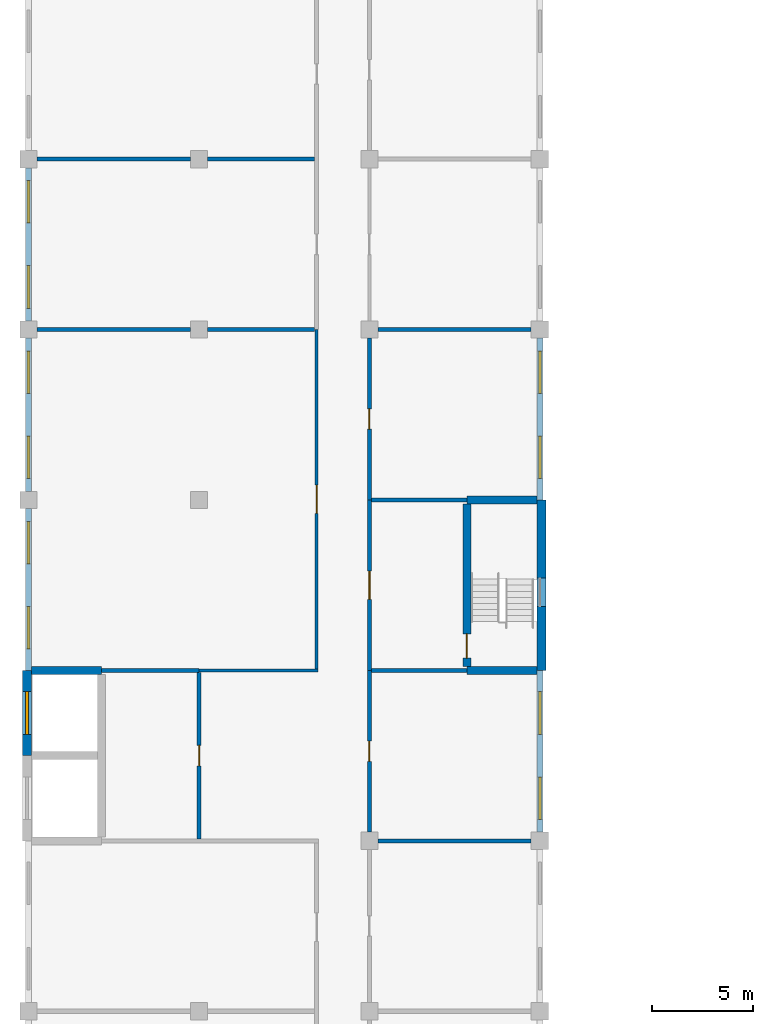
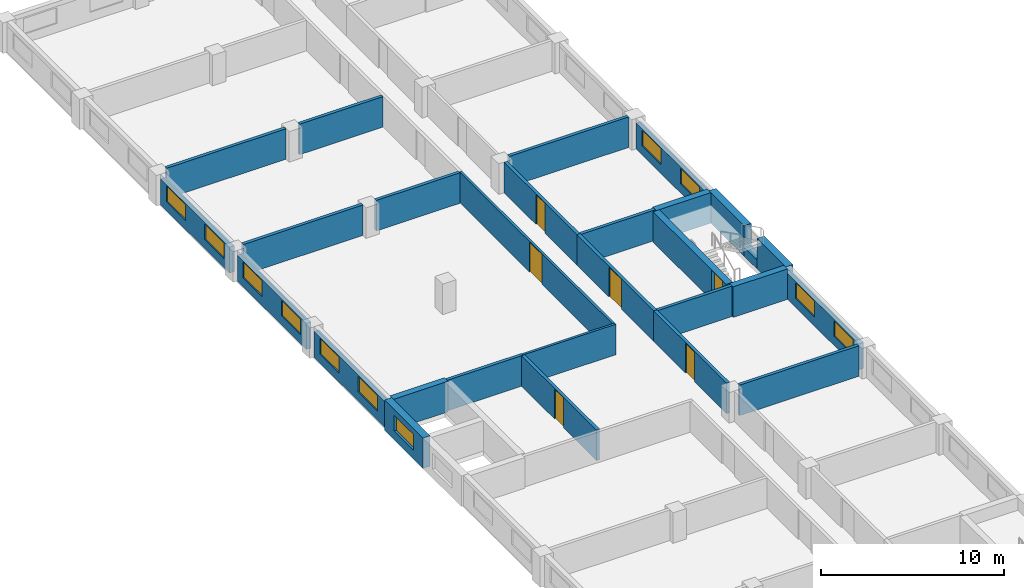
# One storey, part 37 of 48: 28 walls, 11 windows, 6 doors, 17 openings.
"""IFC4 building model written with IfcOpenShell, lengths in metres."""

from ifc_helpers import new_model, si_unit, direction, frame, frame_2d, origin, place, context, subcontext, project, spatial, rectangle, extrude, material, layer, layer_set, type_object, element, fill, save


model = new_model("IFC4")

# Units and contexts
model_context = context("Model", 3, precision=1e-05, world=origin(), true_north=direction((0.0, 1.0)))
body_context = subcontext(model_context, "Body", "Model", "MODEL_VIEW")
ifc_project = project(units=[si_unit("LENGTHUNIT", "METRE"), si_unit("AREAUNIT", "SQUARE_METRE"), si_unit("VOLUMEUNIT", "CUBIC_METRE"), si_unit("PLANEANGLEUNIT", "RADIAN"), si_unit("MASSUNIT", "GRAM", prefix="KILO")], contexts=[model_context])

# Site, building, storey
site_placement = place(None, origin())
site = spatial("IfcSite", under=ifc_project, at=site_placement, CompositionType="ELEMENT")
building_placement = place(site_placement, origin())
building = spatial("IfcBuilding", under=site, at=building_placement, Name="Yavir Park General Hospital", CompositionType="ELEMENT")
storey_placement = place(building_placement, frame((0.0, 0.0, 12.89990234375)))
storey = spatial("IfcBuildingStorey", under=building, at=storey_placement, Name="I02", CompositionType="ELEMENT", Elevation=12.89990234375)

# Walls
ifc_material_1 = material(Name="Double gypsum board fire partition on steel studs", Category="steel")
ifc_layer_1 = layer(ifc_material_1, 0.199951171875)
ifc_layer_set_1 = layer_set([ifc_layer_1], Name="Double gypsum board fire partition on steel studs")
wall_type_1 = type_object("IfcWallType", Name="Fire-rated partition 200, EI 60", PredefinedType="PARTITIONING", material=ifc_layer_set_1)
for number, where, z_axis, x_axis, name in (
    (1, (16.89990234375, 75.60009765625, 0.0), (0.0, 0.0, 1.0), (1.0, 0.0, 0.0), "FP20 I02-090"),
    (2, (16.89990234375, 84.0, 0.0), (0.0, 0.0, 1.0), (1.0, 0.0, 0.0), "FP20 I02-092"),
):
    element("IfcWall", number, at=place(storey_placement, frame(where, z_axis=z_axis, x_axis=x_axis)), inside=storey, type_object=wall_type_1, Name=name, PredefinedType="PARTITIONING", context=body_context, shape_type="SweptSolid", body=[
        extrude(rectangle(XDim=4.7001953125, YDim=0.199951171875, at=frame_2d((2.35009765625, 0.0))), origin(), (0.0, 0.0, 1.0), 2.0400390625),
    ])

# Wall, opening, door
wall_1_placement = place(storey_placement, frame((16.800048828125, 75.60009765625, 0.0), z_axis=(0.0, 0.0, 1.0), x_axis=(0.0, 1.0, 0.0)))
wall_1 = element("IfcWall", 3, at=wall_1_placement, inside=storey, type_object=wall_type_1, Name="FP20 I02-125", PredefinedType="PARTITIONING", context=body_context, shape_type="SweptSolid", body=[
    extrude(rectangle(XDim=8.39990234375, YDim=0.199951171875, at=frame_2d((4.199951171875, 0.0))), origin(), (0.0, 0.0, 1.0), 2.0400390625),
])
opening_1_placement = place(wall_1_placement, frame((3.5, 0.0, 0.0)))
opening_1 = element("IfcOpeningElement", 4, at=opening_1_placement, cuts=wall_1, Name="Opening I02.D071", PredefinedType="OPENING", context=body_context, shape_type="SweptSolid", body=[
    extrude(rectangle(XDim=1.39990234375, YDim=2.0, at=frame_2d((0.699951171875, 1.0))), frame((0.0, 0.10986328125, 0.0), z_axis=(0.0, -1.0, 0.0), x_axis=(1.0, 0.0, 0.0)), (0.0, 0.0, 1.0), 0.219970703125),
])
ifc_material_2 = material(Name="Steel frame, fire-resisting leaves with vision panels", Category="steel")
door_type_1 = type_object("IfcDoorType", Name="Double fire door with vision panels 1400 x 2000, EI 60", OperationType="DOUBLE_DOOR_SINGLE_SWING", PredefinedType="DOOR", material=ifc_material_2)
door_1_placement = place(opening_1_placement, origin())
door_1 = element("IfcDoor", 5, at=door_1_placement, inside=storey, type_object=door_type_1, Name="I02.D071", OperationType="SINGLE_SWING_LEFT", OverallHeight=2.0, OverallWidth=1.39990234375, PredefinedType="DOOR", context=body_context, shape_type="SweptSolid", body=[
    extrude(rectangle(XDim=1.39990234375, YDim=2.0, at=frame_2d((0.699951171875, 1.0))), frame((0.0, 0.030029296875, 0.0), z_axis=(0.0, -1.0, 0.0), x_axis=(1.0, 0.0, 0.0)), (0.0, 0.0, 1.0), 0.06005859375),
])
fill(opening_1, door_1)

# Wall
ifc_material_3 = material(Name="Gypsum board partition on steel studs", Category="steel")
ifc_layer_2 = layer(ifc_material_3, 0.14990234375)
ifc_layer_set_2 = layer_set([ifc_layer_2], Name="Gypsum board partition on steel studs")
wall_type_2 = type_object("IfcWallType", Name="Gypsum board partition 150", PredefinedType="PARTITIONING", material=ifc_layer_set_2)
wall_2_placement = place(storey_placement, frame((8.39990234375, 75.60009765625, 0.0), z_axis=(0.0, 0.0, 1.0), x_axis=(1.0, 0.0, 0.0)))
element("IfcWall", 6, at=wall_2_placement, inside=storey, type_object=wall_type_2, Name="P15 I02-089", PredefinedType="PARTITIONING", context=body_context, shape_type="SweptSolid", body=[
    extrude(rectangle(XDim=5.875, YDim=0.14990234375, at=frame_2d((2.9375, 0.0))), origin(), (0.0, 0.0, 1.0), 2.0400390625),
])

# Wall, opening, door
wall_3_placement = place(storey_placement, frame((14.199951171875, 75.675048828125, 0.0), z_axis=(0.0, 0.0, 1.0), x_axis=(0.0, 1.0, 0.0)))
wall_3 = element("IfcWall", 7, at=wall_3_placement, inside=storey, type_object=wall_type_2, Name="P15 I02-115", PredefinedType="PARTITIONING", context=body_context, shape_type="SweptSolid", body=[
    extrude(rectangle(XDim=16.724853515625, YDim=0.14990234375, at=frame_2d((8.3623046875, 0.0))), origin(), (0.0, 0.0, 1.0), 2.0400390625),
])
opening_2_placement = place(wall_3_placement, frame((7.66259765625, 0.0, 0.0)))
opening_2 = element("IfcOpeningElement", 8, at=opening_2_placement, cuts=wall_3, Name="Opening I02.D060", PredefinedType="OPENING", context=body_context, shape_type="SweptSolid", body=[
    extrude(rectangle(XDim=1.39990234375, YDim=2.0, at=frame_2d((0.699951171875, 1.0))), frame((0.0, 0.0849609375, 0.0), z_axis=(0.0, -1.0, 0.0), x_axis=(1.0, 0.0, 0.0)), (0.0, 0.0, 1.0), 0.169921875),
])
ifc_material_4 = material(Name="Hollow metal frame, solid-core timber leaf", Category="wood")
door_type_2 = type_object("IfcDoorType", Name="Double swing door 1400 x 2000", OperationType="DOUBLE_DOOR_SINGLE_SWING", PredefinedType="DOOR", material=ifc_material_4)
door_2_placement = place(opening_2_placement, origin())
door_2 = element("IfcDoor", 9, at=door_2_placement, inside=storey, type_object=door_type_2, Name="I02.D060", OperationType="SINGLE_SWING_LEFT", OverallHeight=2.0, OverallWidth=1.39990234375, PredefinedType="DOOR", context=body_context, shape_type="SweptSolid", body=[
    extrude(rectangle(XDim=1.39990234375, YDim=2.0, at=frame_2d((0.699951171875, 1.0))), frame((0.0, 0.02490234375, 0.0), z_axis=(0.0, -1.0, 0.0), x_axis=(1.0, 0.0, 0.0)), (0.0, 0.0, 1.0), 0.050048828125),
])
fill(opening_2, door_2)

# Wall, openings, windows
ifc_material_5 = material(Name="Insulated sandwich panels on a Steel S355 subframe", Category="steel")
ifc_layer_3 = layer(ifc_material_5, 0.300048828125)
ifc_layer_set_3 = layer_set([ifc_layer_3], Name="Insulated sandwich panels on a Steel S355 subframe")
wall_type_3 = type_object("IfcWallType", Name="Insulated panel service floor wall 300, E 30", PredefinedType="SOLIDWALL", material=ifc_layer_set_3)
wall_4_placement = place(storey_placement, frame((0.0, 75.60009765625, 0.0), z_axis=(0.0, 0.0, 1.0), x_axis=(0.0, 1.0, 0.0)))
wall_4 = element("IfcWall", 10, at=wall_4_placement, inside=storey, type_object=wall_type_3, Name="XW5 I02-084", PredefinedType="SOLIDWALL", context=body_context, shape_type="SweptSolid", body=[
    extrude(rectangle(XDim=7.974853515625, YDim=0.300048828125, at=frame_2d((3.9873046875, 0.0))), origin(), (0.0, 0.0, 1.0), 1.739990234375),
])
opening_3_placement = place(wall_4_placement, frame((1.050048828125, 0.0, 0.60009765625)))
opening_3 = element("IfcOpeningElement", 11, at=opening_3_placement, cuts=wall_4, Name="Opening LV3", PredefinedType="OPENING", context=body_context, shape_type="SweptSolid", body=[
    extrude(rectangle(XDim=2.10009765625, YDim=1.050048828125, at=frame_2d((1.050048828125, 0.52490234375))), frame((0.0, 0.159912109375, 0.0), z_axis=(0.0, -1.0, 0.0), x_axis=(1.0, 0.0, 0.0)), (0.0, 0.0, 1.0), 0.320068359375),
])
opening_4_placement = place(wall_4_placement, frame((5.25, 0.0, 0.60009765625)))
opening_4 = element("IfcOpeningElement", 12, at=opening_4_placement, cuts=wall_4, Name="Opening LV3", PredefinedType="OPENING", context=body_context, shape_type="SweptSolid", body=[
    extrude(rectangle(XDim=2.10009765625, YDim=1.050048828125, at=frame_2d((1.050048828125, 0.52490234375))), frame((0.0, 0.159912109375, 0.0), z_axis=(0.0, -1.0, 0.0), x_axis=(1.0, 0.0, 0.0)), (0.0, 0.0, 1.0), 0.320068359375),
])
ifc_material_6 = material(Name="Anodised aluminium louvre blades in a deep frame", Category="aluminium")
window_type = type_object("IfcWindowType", Name="Interstitial floor louvre 2100 x 1050", PartitioningType="SINGLE_PANEL", PredefinedType="WINDOW", material=ifc_material_6)
window_1_placement = place(opening_3_placement, origin())
window_1 = element("IfcWindow", 13, at=window_1_placement, inside=storey, type_object=window_type, Name="LV3 I02-077", OverallHeight=1.050048828125, OverallWidth=2.10009765625, PartitioningType="SINGLE_PANEL", PredefinedType="WINDOW", context=body_context, shape_type="SweptSolid", body=[
    extrude(rectangle(XDim=2.10009765625, YDim=1.050048828125, at=frame_2d((1.050048828125, 0.52490234375))), frame((0.0, 0.074951171875, 0.0), z_axis=(0.0, -1.0, 0.0), x_axis=(1.0, 0.0, 0.0)), (0.0, 0.0, 1.0), 0.14990234375),
])
fill(opening_3, window_1)
window_2_placement = place(opening_4_placement, origin())
window_2 = element("IfcWindow", 14, at=window_2_placement, inside=storey, type_object=window_type, Name="LV3 I02-078", OverallHeight=1.050048828125, OverallWidth=2.10009765625, PartitioningType="SINGLE_PANEL", PredefinedType="WINDOW", context=body_context, shape_type="SweptSolid", body=[
    extrude(rectangle(XDim=2.10009765625, YDim=1.050048828125, at=frame_2d((1.050048828125, 0.52490234375))), frame((0.0, 0.074951171875, 0.0), z_axis=(0.0, -1.0, 0.0), x_axis=(1.0, 0.0, 0.0)), (0.0, 0.0, 1.0), 0.14990234375),
])
fill(opening_4, window_2)

wall_5_placement = place(storey_placement, frame((0.0, 84.425048828125, 0.0), z_axis=(0.0, 0.0, 1.0), x_axis=(0.0, 1.0, 0.0)))
wall_5 = element("IfcWall", 15, at=wall_5_placement, inside=storey, type_object=wall_type_3, Name="XW5 I02-085", PredefinedType="SOLIDWALL", context=body_context, shape_type="SweptSolid", body=[
    extrude(rectangle(XDim=7.550048828125, YDim=0.300048828125, at=frame_2d((3.77490234375, 0.0))), origin(), (0.0, 0.0, 1.0), 1.739990234375),
])
opening_5_placement = place(wall_5_placement, frame((0.625, 0.0, 0.60009765625)))
opening_5 = element("IfcOpeningElement", 16, at=opening_5_placement, cuts=wall_5, Name="Opening LV3", PredefinedType="OPENING", context=body_context, shape_type="SweptSolid", body=[
    extrude(rectangle(XDim=2.10009765625, YDim=1.050048828125, at=frame_2d((1.050048828125, 0.52490234375))), frame((0.0, 0.159912109375, 0.0), z_axis=(0.0, -1.0, 0.0), x_axis=(1.0, 0.0, 0.0)), (0.0, 0.0, 1.0), 0.320068359375),
])
opening_6_placement = place(wall_5_placement, frame((4.824951171875, 0.0, 0.60009765625)))
opening_6 = element("IfcOpeningElement", 17, at=opening_6_placement, cuts=wall_5, Name="Opening LV3", PredefinedType="OPENING", context=body_context, shape_type="SweptSolid", body=[
    extrude(rectangle(XDim=2.10009765625, YDim=1.050048828125, at=frame_2d((1.050048828125, 0.52490234375))), frame((0.0, 0.159912109375, 0.0), z_axis=(0.0, -1.0, 0.0), x_axis=(1.0, 0.0, 0.0)), (0.0, 0.0, 1.0), 0.320068359375),
])
window_3_placement = place(opening_5_placement, origin())
window_3 = element("IfcWindow", 18, at=window_3_placement, inside=storey, type_object=window_type, Name="LV3 I02-079", OverallHeight=1.050048828125, OverallWidth=2.10009765625, PartitioningType="SINGLE_PANEL", PredefinedType="WINDOW", context=body_context, shape_type="SweptSolid", body=[
    extrude(rectangle(XDim=2.10009765625, YDim=1.050048828125, at=frame_2d((1.050048828125, 0.52490234375))), frame((0.0, 0.074951171875, 0.0), z_axis=(0.0, -1.0, 0.0), x_axis=(1.0, 0.0, 0.0)), (0.0, 0.0, 1.0), 0.14990234375),
])
fill(opening_5, window_3)
window_4_placement = place(opening_6_placement, origin())
window_4 = element("IfcWindow", 19, at=window_4_placement, inside=storey, type_object=window_type, Name="LV3 I02-080", OverallHeight=1.050048828125, OverallWidth=2.10009765625, PartitioningType="SINGLE_PANEL", PredefinedType="WINDOW", context=body_context, shape_type="SweptSolid", body=[
    extrude(rectangle(XDim=2.10009765625, YDim=1.050048828125, at=frame_2d((1.050048828125, 0.52490234375))), frame((0.0, 0.074951171875, 0.0), z_axis=(0.0, -1.0, 0.0), x_axis=(1.0, 0.0, 0.0)), (0.0, 0.0, 1.0), 0.14990234375),
])
fill(opening_6, window_4)

wall_6_placement = place(storey_placement, frame((0.0, 92.824951171875, 0.0), z_axis=(0.0, 0.0, 1.0), x_axis=(0.0, 1.0, 0.0)))
wall_6 = element("IfcWall", 20, at=wall_6_placement, inside=storey, type_object=wall_type_3, Name="XW5 I02-086", PredefinedType="SOLIDWALL", context=body_context, shape_type="SweptSolid", body=[
    extrude(rectangle(XDim=7.550048828125, YDim=0.300048828125, at=frame_2d((3.77490234375, 0.0))), origin(), (0.0, 0.0, 1.0), 1.739990234375),
])
opening_7_placement = place(wall_6_placement, frame((0.625, 0.0, 0.60009765625)))
opening_7 = element("IfcOpeningElement", 21, at=opening_7_placement, cuts=wall_6, Name="Opening LV3", PredefinedType="OPENING", context=body_context, shape_type="SweptSolid", body=[
    extrude(rectangle(XDim=2.10009765625, YDim=1.050048828125, at=frame_2d((1.050048828125, 0.52490234375))), frame((0.0, 0.159912109375, 0.0), z_axis=(0.0, -1.0, 0.0), x_axis=(1.0, 0.0, 0.0)), (0.0, 0.0, 1.0), 0.320068359375),
])
opening_8_placement = place(wall_6_placement, frame((4.824951171875, 0.0, 0.60009765625)))
opening_8 = element("IfcOpeningElement", 22, at=opening_8_placement, cuts=wall_6, Name="Opening LV3", PredefinedType="OPENING", context=body_context, shape_type="SweptSolid", body=[
    extrude(rectangle(XDim=2.10009765625, YDim=1.050048828125, at=frame_2d((1.050048828125, 0.52490234375))), frame((0.0, 0.159912109375, 0.0), z_axis=(0.0, -1.0, 0.0), x_axis=(1.0, 0.0, 0.0)), (0.0, 0.0, 1.0), 0.320068359375),
])
window_5_placement = place(opening_7_placement, origin())
window_5 = element("IfcWindow", 23, at=window_5_placement, inside=storey, type_object=window_type, Name="LV3 I02-081", OverallHeight=1.050048828125, OverallWidth=2.10009765625, PartitioningType="SINGLE_PANEL", PredefinedType="WINDOW", context=body_context, shape_type="SweptSolid", body=[
    extrude(rectangle(XDim=2.10009765625, YDim=1.050048828125, at=frame_2d((1.050048828125, 0.52490234375))), frame((0.0, 0.074951171875, 0.0), z_axis=(0.0, -1.0, 0.0), x_axis=(1.0, 0.0, 0.0)), (0.0, 0.0, 1.0), 0.14990234375),
])
fill(opening_7, window_5)
window_6_placement = place(opening_8_placement, origin())
window_6 = element("IfcWindow", 24, at=window_6_placement, inside=storey, type_object=window_type, Name="LV3 I02-082", OverallHeight=1.050048828125, OverallWidth=2.10009765625, PartitioningType="SINGLE_PANEL", PredefinedType="WINDOW", context=body_context, shape_type="SweptSolid", body=[
    extrude(rectangle(XDim=2.10009765625, YDim=1.050048828125, at=frame_2d((1.050048828125, 0.52490234375))), frame((0.0, 0.074951171875, 0.0), z_axis=(0.0, -1.0, 0.0), x_axis=(1.0, 0.0, 0.0)), (0.0, 0.0, 1.0), 0.14990234375),
])
fill(opening_8, window_6)

wall_7_placement = place(storey_placement, frame((25.199951171875, 67.625, 0.0), z_axis=(0.0, 0.0, 1.0), x_axis=(0.0, 1.0, 0.0)))
wall_7 = element("IfcWall", 25, at=wall_7_placement, inside=storey, type_object=wall_type_3, Name="XW5 I02-095", PredefinedType="SOLIDWALL", context=body_context, shape_type="SweptSolid", body=[
    extrude(rectangle(XDim=7.97509765625, YDim=0.300048828125, at=frame_2d((3.987548828125, 0.0))), origin(), (0.0, 0.0, 1.0), 1.739990234375),
])
opening_9_placement = place(wall_7_placement, frame((0.625, 0.0, 0.60009765625)))
opening_9 = element("IfcOpeningElement", 26, at=opening_9_placement, cuts=wall_7, Name="Opening LV3", PredefinedType="OPENING", context=body_context, shape_type="SweptSolid", body=[
    extrude(rectangle(XDim=2.10009765625, YDim=1.050048828125, at=frame_2d((1.050048828125, 0.52490234375))), frame((0.0, 0.159912109375, 0.0), z_axis=(0.0, -1.0, 0.0), x_axis=(1.0, 0.0, 0.0)), (0.0, 0.0, 1.0), 0.320068359375),
])
opening_10_placement = place(wall_7_placement, frame((4.824951171875, 0.0, 0.60009765625)))
opening_10 = element("IfcOpeningElement", 27, at=opening_10_placement, cuts=wall_7, Name="Opening LV3", PredefinedType="OPENING", context=body_context, shape_type="SweptSolid", body=[
    extrude(rectangle(XDim=2.10009765625, YDim=1.050048828125, at=frame_2d((1.050048828125, 0.52490234375))), frame((0.0, 0.159912109375, 0.0), z_axis=(0.0, -1.0, 0.0), x_axis=(1.0, 0.0, 0.0)), (0.0, 0.0, 1.0), 0.320068359375),
])
window_7_placement = place(opening_9_placement, origin())
window_7 = element("IfcWindow", 28, at=window_7_placement, inside=storey, type_object=window_type, Name="LV3 I02-093", OverallHeight=1.050048828125, OverallWidth=2.10009765625, PartitioningType="SINGLE_PANEL", PredefinedType="WINDOW", context=body_context, shape_type="SweptSolid", body=[
    extrude(rectangle(XDim=2.10009765625, YDim=1.050048828125, at=frame_2d((1.050048828125, 0.52490234375))), frame((0.0, 0.074951171875, 0.0), z_axis=(0.0, -1.0, 0.0), x_axis=(1.0, 0.0, 0.0)), (0.0, 0.0, 1.0), 0.14990234375),
])
fill(opening_9, window_7)
window_8_placement = place(opening_10_placement, origin())
window_8 = element("IfcWindow", 29, at=window_8_placement, inside=storey, type_object=window_type, Name="LV3 I02-094", OverallHeight=1.050048828125, OverallWidth=2.10009765625, PartitioningType="SINGLE_PANEL", PredefinedType="WINDOW", context=body_context, shape_type="SweptSolid", body=[
    extrude(rectangle(XDim=2.10009765625, YDim=1.050048828125, at=frame_2d((1.050048828125, 0.52490234375))), frame((0.0, 0.074951171875, 0.0), z_axis=(0.0, -1.0, 0.0), x_axis=(1.0, 0.0, 0.0)), (0.0, 0.0, 1.0), 0.14990234375),
])
fill(opening_10, window_8)

wall_8_placement = place(storey_placement, frame((25.199951171875, 84.0, 0.0), z_axis=(0.0, 0.0, 1.0), x_axis=(0.0, 1.0, 0.0)))
wall_8 = element("IfcWall", 30, at=wall_8_placement, inside=storey, type_object=wall_type_3, Name="XW5 I02-099", PredefinedType="SOLIDWALL", context=body_context, shape_type="SweptSolid", body=[
    extrude(rectangle(XDim=7.97509765625, YDim=0.300048828125, at=frame_2d((3.987548828125, 0.0))), origin(), (0.0, 0.0, 1.0), 1.739990234375),
])
opening_11_placement = place(wall_8_placement, frame((1.050048828125, 0.0, 0.60009765625)))
opening_11 = element("IfcOpeningElement", 31, at=opening_11_placement, cuts=wall_8, Name="Opening LV3", PredefinedType="OPENING", context=body_context, shape_type="SweptSolid", body=[
    extrude(rectangle(XDim=2.10009765625, YDim=1.050048828125, at=frame_2d((1.050048828125, 0.52490234375))), frame((0.0, 0.159912109375, 0.0), z_axis=(0.0, -1.0, 0.0), x_axis=(1.0, 0.0, 0.0)), (0.0, 0.0, 1.0), 0.320068359375),
])
opening_12_placement = place(wall_8_placement, frame((5.25, 0.0, 0.60009765625)))
opening_12 = element("IfcOpeningElement", 32, at=opening_12_placement, cuts=wall_8, Name="Opening LV3", PredefinedType="OPENING", context=body_context, shape_type="SweptSolid", body=[
    extrude(rectangle(XDim=2.10009765625, YDim=1.050048828125, at=frame_2d((1.050048828125, 0.52490234375))), frame((0.0, 0.159912109375, 0.0), z_axis=(0.0, -1.0, 0.0), x_axis=(1.0, 0.0, 0.0)), (0.0, 0.0, 1.0), 0.320068359375),
])
window_9_placement = place(opening_11_placement, origin())
window_9 = element("IfcWindow", 33, at=window_9_placement, inside=storey, type_object=window_type, Name="LV3 I02-095", OverallHeight=1.050048828125, OverallWidth=2.10009765625, PartitioningType="SINGLE_PANEL", PredefinedType="WINDOW", context=body_context, shape_type="SweptSolid", body=[
    extrude(rectangle(XDim=2.10009765625, YDim=1.050048828125, at=frame_2d((1.050048828125, 0.52490234375))), frame((0.0, 0.074951171875, 0.0), z_axis=(0.0, -1.0, 0.0), x_axis=(1.0, 0.0, 0.0)), (0.0, 0.0, 1.0), 0.14990234375),
])
fill(opening_11, window_9)
window_10_placement = place(opening_12_placement, origin())
window_10 = element("IfcWindow", 34, at=window_10_placement, inside=storey, type_object=window_type, Name="LV3 I02-096", OverallHeight=1.050048828125, OverallWidth=2.10009765625, PartitioningType="SINGLE_PANEL", PredefinedType="WINDOW", context=body_context, shape_type="SweptSolid", body=[
    extrude(rectangle(XDim=2.10009765625, YDim=1.050048828125, at=frame_2d((1.050048828125, 0.52490234375))), frame((0.0, 0.074951171875, 0.0), z_axis=(0.0, -1.0, 0.0), x_axis=(1.0, 0.0, 0.0)), (0.0, 0.0, 1.0), 0.14990234375),
])
fill(opening_12, window_10)

# Walls
ifc_material_7 = material(Name="Clay block masonry infill", Category="masonry")
ifc_layer_4 = layer(ifc_material_7, 0.199951171875)
ifc_layer_set_4 = layer_set([ifc_layer_4], Name="Clay block masonry infill")
wall_type_4 = type_object("IfcWallType", Name="Masonry infill wall 200", PredefinedType="SOLIDWALL", material=ifc_layer_set_4)
wall_9_placement = place(storey_placement, frame((17.22509765625, 67.199951171875, 0.0), z_axis=(0.0, 0.0, 1.0), x_axis=(1.0, 0.0, 0.0)))
element("IfcWall", 35, at=wall_9_placement, inside=storey, type_object=wall_type_4, Name="MW20 I02-085", PredefinedType="SOLIDWALL", context=body_context, shape_type="SweptSolid", body=[
    extrude(rectangle(XDim=7.5498046875, YDim=0.199951171875, at=frame_2d((3.77490234375, 0.0))), origin(), (0.0, 0.0, 1.0), 2.0400390625),
])
wall_10_placement = place(storey_placement, frame((3.60009765625, 75.60009765625, 0.0), z_axis=(0.0, 0.0, 1.0), x_axis=(1.0, 0.0, 0.0)))
element("IfcWall", 36, at=wall_10_placement, inside=storey, type_object=wall_type_4, Name="MW20 I02-088", PredefinedType="SOLIDWALL", context=body_context, shape_type="SweptSolid", body=[
    extrude(rectangle(XDim=4.7998046875, YDim=0.199951171875, at=frame_2d((2.39990234375, 0.0))), origin(), (0.0, 0.0, 1.0), 2.0400390625),
])
wall_11_placement = place(storey_placement, frame((0.425048828125, 92.39990234375, 0.0), z_axis=(0.0, 0.0, 1.0), x_axis=(1.0, 0.0, 0.0)))
element("IfcWall", 37, at=wall_11_placement, inside=storey, type_object=wall_type_4, Name="MW20 I02-094", PredefinedType="SOLIDWALL", context=body_context, shape_type="SweptSolid", body=[
    extrude(rectangle(XDim=7.550048828125, YDim=0.199951171875, at=frame_2d((3.77490234375, 0.0))), origin(), (0.0, 0.0, 1.0), 2.0400390625),
])
wall_12_placement = place(storey_placement, frame((8.824951171875, 92.39990234375, 0.0), z_axis=(0.0, 0.0, 1.0), x_axis=(1.0, 0.0, 0.0)))
element("IfcWall", 38, at=wall_12_placement, inside=storey, type_object=wall_type_4, Name="MW20 I02-095", PredefinedType="SOLIDWALL", context=body_context, shape_type="SweptSolid", body=[
    extrude(rectangle(XDim=5.275146484375, YDim=0.199951171875, at=frame_2d((2.6376953125, 0.0))), origin(), (0.0, 0.0, 1.0), 2.0400390625),
])
wall_13_placement = place(storey_placement, frame((17.22509765625, 92.39990234375, 0.0), z_axis=(0.0, 0.0, 1.0), x_axis=(1.0, 0.0, 0.0)))
element("IfcWall", 39, at=wall_13_placement, inside=storey, type_object=wall_type_4, Name="MW20 I02-096", PredefinedType="SOLIDWALL", context=body_context, shape_type="SweptSolid", body=[
    extrude(rectangle(XDim=7.5498046875, YDim=0.199951171875, at=frame_2d((3.77490234375, 0.0))), origin(), (0.0, 0.0, 1.0), 2.0400390625),
])
wall_14_placement = place(storey_placement, frame((0.425048828125, 100.800048828125, 0.0), z_axis=(0.0, 0.0, 1.0), x_axis=(1.0, 0.0, 0.0)))
element("IfcWall", 40, at=wall_14_placement, inside=storey, type_object=wall_type_4, Name="MW20 I02-097", PredefinedType="SOLIDWALL", context=body_context, shape_type="SweptSolid", body=[
    extrude(rectangle(XDim=7.550048828125, YDim=0.199951171875, at=frame_2d((3.77490234375, 0.0))), origin(), (0.0, 0.0, 1.0), 2.0400390625),
])
wall_15_placement = place(storey_placement, frame((8.824951171875, 100.800048828125, 0.0), z_axis=(0.0, 0.0, 1.0), x_axis=(1.0, 0.0, 0.0)))
element("IfcWall", 41, at=wall_15_placement, inside=storey, type_object=wall_type_4, Name="MW20 I02-098", PredefinedType="SOLIDWALL", context=body_context, shape_type="SweptSolid", body=[
    extrude(rectangle(XDim=5.275146484375, YDim=0.199951171875, at=frame_2d((2.6376953125, 0.0))), origin(), (0.0, 0.0, 1.0), 2.0400390625),
])

# Wall, opening, door
wall_16_placement = place(storey_placement, frame((8.39990234375, 67.300048828125, 0.0), z_axis=(0.0, 0.0, 1.0), x_axis=(0.0, 1.0, 0.0)))
wall_16 = element("IfcWall", 42, at=wall_16_placement, inside=storey, type_object=wall_type_4, Name="MW20 I02-108", PredefinedType="SOLIDWALL", context=body_context, shape_type="SweptSolid", body=[
    extrude(rectangle(XDim=8.199951171875, YDim=0.199951171875, at=frame_2d((4.10009765625, 0.0))), origin(), (0.0, 0.0, 1.0), 2.0400390625),
])
opening_13_placement = place(wall_16_placement, frame((3.60009765625, 0.0, 0.0)))
opening_13 = element("IfcOpeningElement", 43, at=opening_13_placement, cuts=wall_16, Name="Opening I02.D054", PredefinedType="OPENING", context=body_context, shape_type="SweptSolid", body=[
    extrude(rectangle(XDim=1.0, YDim=2.0, at=frame_2d((0.5, 1.0))), frame((0.0, 0.10986328125, 0.0), z_axis=(0.0, -1.0, 0.0), x_axis=(1.0, 0.0, 0.0)), (0.0, 0.0, 1.0), 0.219970703125),
])
ifc_material_8 = material(Name="Hollow metal frame, solid-core timber leaf", Category="wood")
door_type_3 = type_object("IfcDoorType", Name="Single swing door 1000 x 2000", OperationType="SINGLE_SWING_LEFT", PredefinedType="DOOR", material=ifc_material_8)
door_3_placement = place(opening_13_placement, origin())
door_3 = element("IfcDoor", 44, at=door_3_placement, inside=storey, type_object=door_type_3, Name="I02.D054", OperationType="SINGLE_SWING_RIGHT", OverallHeight=2.0, OverallWidth=1.0, PredefinedType="DOOR", context=body_context, shape_type="SweptSolid", body=[
    extrude(rectangle(XDim=1.0, YDim=2.0, at=frame_2d((0.5, 1.0))), frame((0.0, 0.02490234375, 0.0), z_axis=(0.0, -1.0, 0.0), x_axis=(1.0, 0.0, 0.0)), (0.0, 0.0, 1.0), 0.050048828125),
])
fill(opening_13, door_3)

wall_17_placement = place(storey_placement, frame((16.800048828125, 67.625, 0.0), z_axis=(0.0, 0.0, 1.0), x_axis=(0.0, 1.0, 0.0)))
wall_17 = element("IfcWall", 45, at=wall_17_placement, inside=storey, type_object=wall_type_4, Name="MW20 I02-124", PredefinedType="SOLIDWALL", context=body_context, shape_type="SweptSolid", body=[
    extrude(rectangle(XDim=7.97509765625, YDim=0.199951171875, at=frame_2d((3.987548828125, 0.0))), origin(), (0.0, 0.0, 1.0), 2.0400390625),
])
opening_14_placement = place(wall_17_placement, frame((3.487548828125, 0.0, 0.0)))
opening_14 = element("IfcOpeningElement", 46, at=opening_14_placement, cuts=wall_17, Name="Opening I02.D070", PredefinedType="OPENING", context=body_context, shape_type="SweptSolid", body=[
    extrude(rectangle(XDim=1.0, YDim=2.0, at=frame_2d((0.5, 1.0))), frame((0.0, 0.10986328125, 0.0), z_axis=(0.0, -1.0, 0.0), x_axis=(1.0, 0.0, 0.0)), (0.0, 0.0, 1.0), 0.219970703125),
])
door_4_placement = place(opening_14_placement, origin())
door_4 = element("IfcDoor", 47, at=door_4_placement, inside=storey, type_object=door_type_3, Name="I02.D070", OperationType="SINGLE_SWING_RIGHT", OverallHeight=2.0, OverallWidth=1.0, PredefinedType="DOOR", context=body_context, shape_type="SweptSolid", body=[
    extrude(rectangle(XDim=1.0, YDim=2.0, at=frame_2d((0.5, 1.0))), frame((0.0, 0.02490234375, 0.0), z_axis=(0.0, -1.0, 0.0), x_axis=(1.0, 0.0, 0.0)), (0.0, 0.0, 1.0), 0.050048828125),
])
fill(opening_14, door_4)

wall_18_placement = place(storey_placement, frame((16.800048828125, 84.0, 0.0), z_axis=(0.0, 0.0, 1.0), x_axis=(0.0, 1.0, 0.0)))
wall_18 = element("IfcWall", 48, at=wall_18_placement, inside=storey, type_object=wall_type_4, Name="MW20 I02-126", PredefinedType="SOLIDWALL", context=body_context, shape_type="SweptSolid", body=[
    extrude(rectangle(XDim=7.97509765625, YDim=0.199951171875, at=frame_2d((3.987548828125, 0.0))), origin(), (0.0, 0.0, 1.0), 2.0400390625),
])
opening_15_placement = place(wall_18_placement, frame((3.487548828125, 0.0, 0.0)))
opening_15 = element("IfcOpeningElement", 49, at=opening_15_placement, cuts=wall_18, Name="Opening I02.D072", PredefinedType="OPENING", context=body_context, shape_type="SweptSolid", body=[
    extrude(rectangle(XDim=1.0, YDim=2.0, at=frame_2d((0.5, 1.0))), frame((0.0, 0.10986328125, 0.0), z_axis=(0.0, -1.0, 0.0), x_axis=(1.0, 0.0, 0.0)), (0.0, 0.0, 1.0), 0.219970703125),
])
door_5_placement = place(opening_15_placement, origin())
door_5 = element("IfcDoor", 50, at=door_5_placement, inside=storey, type_object=door_type_3, Name="I02.D072", OperationType="SINGLE_SWING_LEFT", OverallHeight=2.0, OverallWidth=1.0, PredefinedType="DOOR", context=body_context, shape_type="SweptSolid", body=[
    extrude(rectangle(XDim=1.0, YDim=2.0, at=frame_2d((0.5, 1.0))), frame((0.0, 0.02490234375, 0.0), z_axis=(0.0, -1.0, 0.0), x_axis=(1.0, 0.0, 0.0)), (0.0, 0.0, 1.0), 0.050048828125),
])
fill(opening_15, door_5)

# Walls
ifc_material_9 = material(Name="Concrete C35/45", Category="concrete")
ifc_layer_5 = layer(ifc_material_9, 0.39990234375)
ifc_layer_set_5 = layer_set([ifc_layer_5], Name="Concrete C35/45")
wall_type_5 = type_object("IfcWallType", Name="Reinforced concrete core wall 400, REI 150", PredefinedType="SHEAR", material=ifc_layer_set_5)
wall_19_placement = place(storey_placement, frame((0.14990234375, 75.60009765625, 0.0), z_axis=(0.0, 0.0, 1.0), x_axis=(1.0, 0.0, 0.0)))
element("IfcWall", 51, at=wall_19_placement, inside=storey, type_object=wall_type_5, Name="CW40 I02-087", PredefinedType="SHEAR", context=body_context, shape_type="SweptSolid", body=[
    extrude(rectangle(XDim=3.4501953125, YDim=0.39990234375, at=frame_2d((1.72509765625, 0.0))), origin(), (0.0, 0.0, 1.0), 2.0400390625),
])
for number, where, z_axis, x_axis, name in (
    (52, (21.60009765625, 75.60009765625, 0.0), (0.0, 0.0, 1.0), (1.0, 0.0, 0.0), "CW40 I02-091"),
    (53, (21.60009765625, 84.0, 0.0), (0.0, 0.0, 1.0), (1.0, 0.0, 0.0), "CW40 I02-093"),
):
    element("IfcWall", number, at=place(storey_placement, frame(where, z_axis=z_axis, x_axis=x_axis)), inside=storey, type_object=wall_type_5, Name=name, PredefinedType="SHEAR", context=body_context, shape_type="SweptSolid", body=[
        extrude(rectangle(XDim=3.449951171875, YDim=0.39990234375, at=frame_2d((1.72509765625, 0.0))), origin(), (0.0, 0.0, 1.0), 2.0400390625),
    ])

# Wall, opening, door
wall_20_placement = place(storey_placement, frame((21.60009765625, 75.800048828125, 0.0), z_axis=(0.0, 0.0, 1.0), x_axis=(0.0, 1.0, 0.0)))
wall_20 = element("IfcWall", 54, at=wall_20_placement, inside=storey, type_object=wall_type_5, Name="CW40 I02-132", PredefinedType="SHEAR", context=body_context, shape_type="SweptSolid", body=[
    extrude(rectangle(XDim=8.0, YDim=0.39990234375, at=frame_2d((4.0, 0.0))), origin(), (0.0, 0.0, 1.0), 2.0400390625),
])
opening_16_placement = place(wall_20_placement, frame((0.39990234375, 0.0, 0.0)))
opening_16 = element("IfcOpeningElement", 55, at=opening_16_placement, cuts=wall_20, Name="Opening I02.D077", PredefinedType="OPENING", context=body_context, shape_type="SweptSolid", body=[
    extrude(rectangle(XDim=1.199951171875, YDim=2.0, at=frame_2d((0.60009765625, 1.0))), frame((0.0, 0.2099609375, 0.0), z_axis=(0.0, -1.0, 0.0), x_axis=(1.0, 0.0, 0.0)), (0.0, 0.0, 1.0), 0.419921875),
])
ifc_material_10 = material(Name="Steel frame, fire-resisting timber leaf", Category="steel")
door_type_4 = type_object("IfcDoorType", Name="Fire door 1200 x 2000, EI 60", OperationType="SINGLE_SWING_LEFT", PredefinedType="DOOR", material=ifc_material_10)
door_6_placement = place(opening_16_placement, origin())
door_6 = element("IfcDoor", 56, at=door_6_placement, inside=storey, type_object=door_type_4, Name="I02.D077", OperationType="SINGLE_SWING_LEFT", OverallHeight=2.0, OverallWidth=1.199951171875, PredefinedType="DOOR", context=body_context, shape_type="SweptSolid", body=[
    extrude(rectangle(XDim=1.199951171875, YDim=2.0, at=frame_2d((0.60009765625, 1.0))), frame((0.0, 0.02490234375, 0.0), z_axis=(0.0, -1.0, 0.0), x_axis=(1.0, 0.0, 0.0)), (0.0, 0.0, 1.0), 0.050048828125),
])
fill(opening_16, door_6)

# Wall, opening, window
ifc_material_11 = material(Name="Concrete C30/37 precast panel with 150 mm mineral wool insulation", Category="concrete")
ifc_layer_6 = layer(ifc_material_11, 0.449951171875)
ifc_layer_set_6 = layer_set([ifc_layer_6], Name="Concrete C30/37 precast panel with 150 mm mineral wool insulation")
wall_type_6 = type_object("IfcWallType", Name="Stair enclosure wall 450, REI 150", PredefinedType="SOLIDWALL", material=ifc_layer_set_6)
wall_21_placement = place(storey_placement, frame((-0.074951171875, 71.39990234375, 0.0), z_axis=(0.0, 0.0, 1.0), x_axis=(0.0, 1.0, 0.0)))
wall_21 = element("IfcWall", 57, at=wall_21_placement, inside=storey, type_object=wall_type_6, Name="XW6 I02-083", PredefinedType="SOLIDWALL", context=body_context, shape_type="SweptSolid", body=[
    extrude(rectangle(XDim=4.2001953125, YDim=0.449951171875, at=frame_2d((2.10009765625, 0.0))), origin(), (0.0, 0.0, 1.0), 2.0400390625),
])
opening_17_placement = place(wall_21_placement, frame((1.050048828125, 0.0, 0.60009765625)))
opening_17 = element("IfcOpeningElement", 58, at=opening_17_placement, cuts=wall_21, Name="Opening LV3", PredefinedType="OPENING", context=body_context, shape_type="SweptSolid", body=[
    extrude(rectangle(XDim=2.10009765625, YDim=1.050048828125, at=frame_2d((1.050048828125, 0.52490234375))), frame((0.0, 0.23486328125, 0.0), z_axis=(0.0, -1.0, 0.0), x_axis=(1.0, 0.0, 0.0)), (0.0, 0.0, 1.0), 0.469970703125),
])
window_11_placement = place(opening_17_placement, origin())
window_11 = element("IfcWindow", 59, at=window_11_placement, inside=storey, type_object=window_type, Name="LV3 I02-076", OverallHeight=1.050048828125, OverallWidth=2.10009765625, PartitioningType="SINGLE_PANEL", PredefinedType="WINDOW", context=body_context, shape_type="SweptSolid", body=[
    extrude(rectangle(XDim=2.10009765625, YDim=1.050048828125, at=frame_2d((1.050048828125, 0.52490234375))), frame((0.0, 0.074951171875, 0.0), z_axis=(0.0, -1.0, 0.0), x_axis=(1.0, 0.0, 0.0)), (0.0, 0.0, 1.0), 0.14990234375),
])
fill(opening_17, window_11)

# Walls
wall_22_placement = place(storey_placement, frame((25.27490234375, 75.60009765625, 0.0), z_axis=(0.0, 0.0, 1.0), x_axis=(0.0, 1.0, 0.0)))
element("IfcWall", 60, at=wall_22_placement, inside=storey, type_object=wall_type_6, Name="XW6 I02-096", PredefinedType="SOLIDWALL", context=body_context, shape_type="SweptSolid", body=[
    extrude(rectangle(XDim=3.14990234375, YDim=0.449951171875, at=frame_2d((1.574951171875, 0.0))), origin(), (0.0, 0.0, 1.0), 2.0400390625),
])
wall_23_placement = place(storey_placement, frame((25.27490234375, 80.14990234375, 0.0), z_axis=(0.0, 0.0, 1.0), x_axis=(0.0, 1.0, 0.0)))
element("IfcWall", 61, at=wall_23_placement, inside=storey, type_object=wall_type_6, Name="XW6 I02-097", PredefinedType="SOLIDWALL", context=body_context, shape_type="SweptSolid", body=[
    extrude(rectangle(XDim=3.85009765625, YDim=0.449951171875, at=frame_2d((1.925048828125, 0.0))), origin(), (0.0, 0.0, 1.0), 2.0400390625),
])
wall_24_placement = place(storey_placement, frame((25.27490234375, 78.75, 0.0), z_axis=(0.0, 0.0, 1.0), x_axis=(0.0, 1.0, 0.0)))
element("IfcWall", 62, at=wall_24_placement, inside=storey, type_object=wall_type_6, Name="XW6 I02-098", PredefinedType="SOLIDWALL", context=body_context, shape_type="SweptSolid", body=[
    extrude(rectangle(XDim=1.39990234375, YDim=0.449951171875, at=frame_2d((0.699951171875, 0.0))), origin(), (0.0, 0.0, 1.0), 0.60009765625),
])

save(model, "model.ifc")
